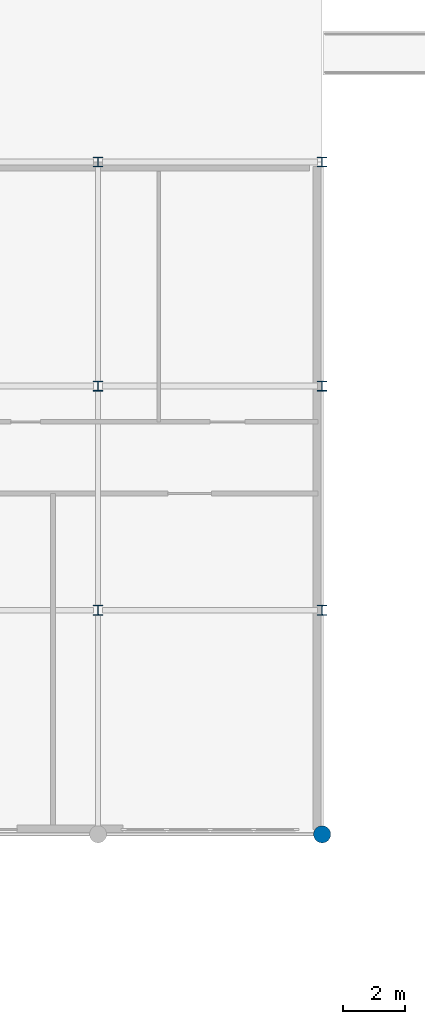
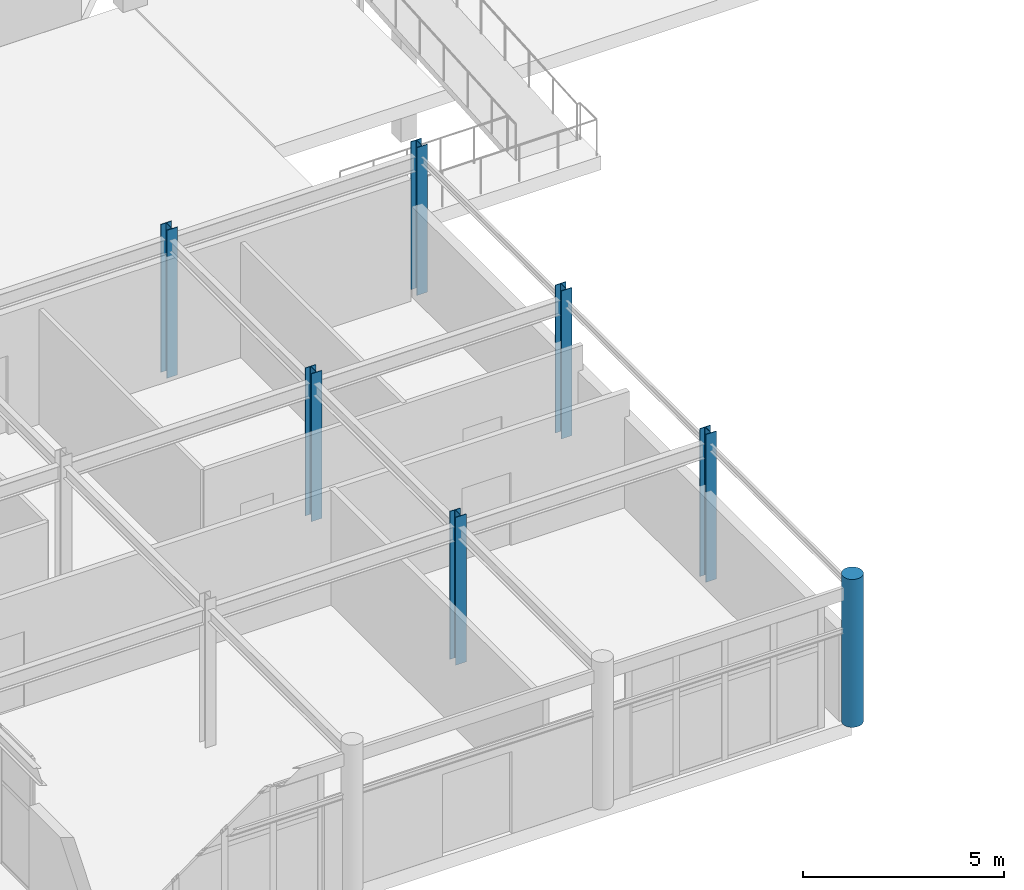
# One storey, part 8 of 85: 7 columns.
"""IFC4 building model written with IfcOpenShell, lengths in metres."""

from ifc_helpers import new_model, si_unit, direction, frame, origin, origin_2d, place, context, subcontext, project, spatial, circle, i_section, extrude, material, material_profile, profile_set, type_object, element, save


model = new_model("IFC4")

# Units and contexts
model_context = context("Model", 3, precision=1e-05, world=origin(), true_north=direction((0.0, 1.0)))
body_context = subcontext(model_context, "Body", "Model", "MODEL_VIEW")
ifc_project = project(units=[si_unit("LENGTHUNIT", "METRE"), si_unit("AREAUNIT", "SQUARE_METRE"), si_unit("VOLUMEUNIT", "CUBIC_METRE"), si_unit("PLANEANGLEUNIT", "RADIAN"), si_unit("MASSUNIT", "GRAM", prefix="KILO")], contexts=[model_context])

# Site, building, storey
site_placement = place(None, origin())
site = spatial("IfcSite", under=ifc_project, at=site_placement, CompositionType="ELEMENT")
building_placement = place(site_placement, origin())
building = spatial("IfcBuilding", under=site, at=building_placement, Name="Ochrevale Crest", CompositionType="ELEMENT")
storey_placement = place(building_placement, origin())
storey = spatial("IfcBuildingStorey", under=building, at=storey_placement, Name="L00", CompositionType="ELEMENT", Elevation=0.0)

# Columns
ifc_material_1 = material(Name="Precast concrete C50/60", Category="concrete")
ifc_material_profile_1 = material_profile(ifc_material_1, circle(Radius=0.27490234375, at=origin_2d()), Name="RC D550")
ifc_profile_set_1 = profile_set([ifc_material_profile_1], Name="Precast concrete C50/60")
column_type_1 = type_object("IfcColumnType", Name="COL-RCD550", PredefinedType="COLUMN", material=ifc_profile_set_1)
column_placement = place(storey_placement, frame((108.0, 7.199951171875, 0.0), z_axis=(0.0, 0.0, 1.0), x_axis=(1.0, 0.0, 0.0)))
element("IfcColumn", 1, at=column_placement, inside=storey, type_object=column_type_1, Name="Retail arcade L00 column (108.0,7.2)", PredefinedType="COLUMN", context=body_context, shape_type="SweptSolid", body=[
    extrude(circle(Radius=0.27490234375, at=origin_2d()), origin(), (0.0, 0.0, 1.0), 4.5),
])
ifc_material_2 = material(Name="Steel S355", Category="steel")
ifc_material_profile_2 = material_profile(ifc_material_2, i_section(OverallWidth=0.306884765625, OverallDepth=0.314697265625, WebThickness=0.011962890625, FlangeThickness=0.018798828125, FilletRadius=0.0166015625, at=origin_2d()), Name="310UC118")
ifc_profile_set_2 = profile_set([ifc_material_profile_2], Name="Steel S355")
column_type_2 = type_object("IfcColumnType", Name="COL-UC310B", PredefinedType="COLUMN", material=ifc_profile_set_2)
for number, where, z_axis, x_axis, name in (
    (2, (100.800048828125, 14.39990234375, 0.0), (0.0, 0.0, 1.0), (1.0, 0.0, 0.0), "Retail arcade L00 column (100.8,14.4)"),
    (3, (100.800048828125, 21.60009765625, 0.0), (0.0, 0.0, 1.0), (1.0, 0.0, 0.0), "Retail arcade L00 column (100.8,21.6)"),
    (4, (100.800048828125, 28.800048828125, 0.0), (0.0, 0.0, 1.0), (1.0, 0.0, 0.0), "Retail arcade L00 column (100.8,28.8)"),
    (5, (108.0, 14.39990234375, 0.0), (0.0, 0.0, 1.0), (1.0, 0.0, 0.0), "Retail arcade L00 column (108.0,14.4)"),
    (6, (108.0, 21.60009765625, 0.0), (0.0, 0.0, 1.0), (1.0, 0.0, 0.0), "Retail arcade L00 column (108.0,21.6)"),
    (7, (108.0, 28.800048828125, 0.0), (0.0, 0.0, 1.0), (1.0, 0.0, 0.0), "Retail arcade L00 column (108.0,28.8)"),
):
    element("IfcColumn", number, at=place(storey_placement, frame(where, z_axis=z_axis, x_axis=x_axis)), inside=storey, type_object=column_type_2, Name=name, PredefinedType="COLUMN", context=body_context, shape_type="SweptSolid", body=[
        extrude(i_section(OverallWidth=0.306884765625, OverallDepth=0.314697265625, WebThickness=0.011962890625, FlangeThickness=0.018798828125, FilletRadius=0.0166015625, at=origin_2d()), origin(), (0.0, 0.0, 1.0), 4.5),
    ])

save(model, "model.ifc")
